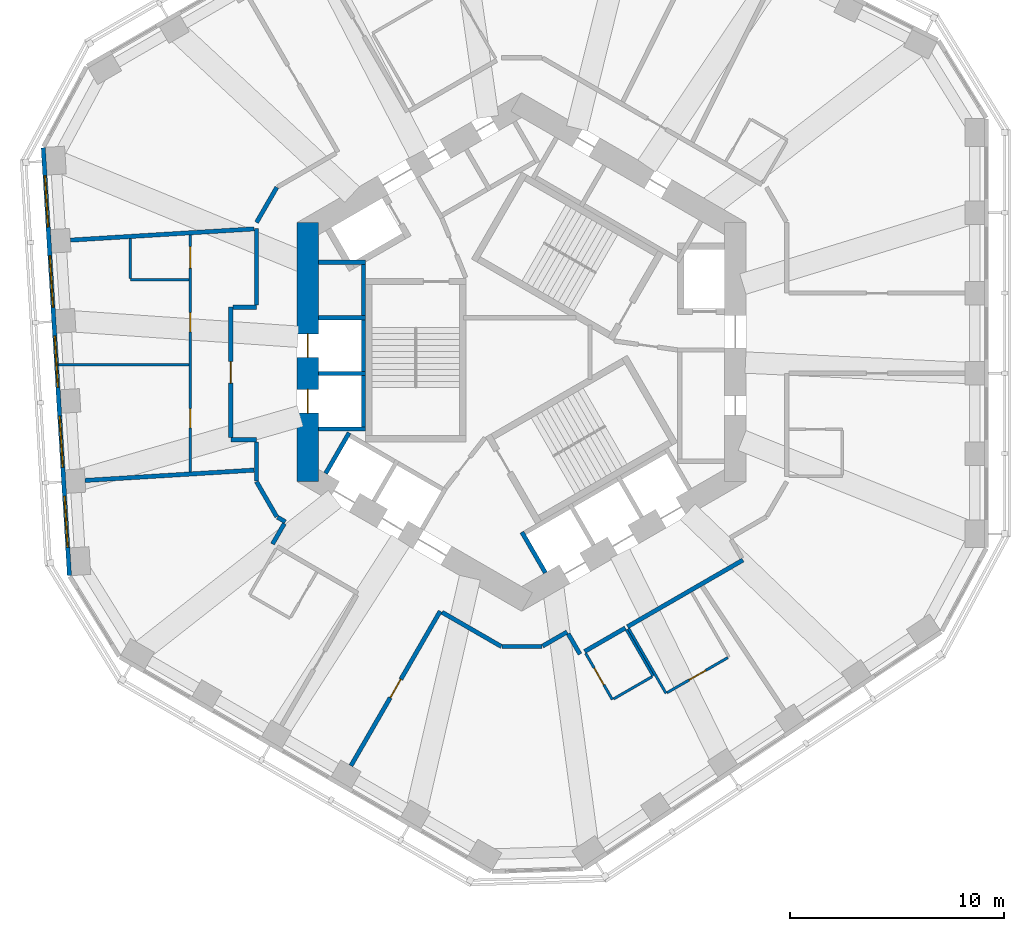
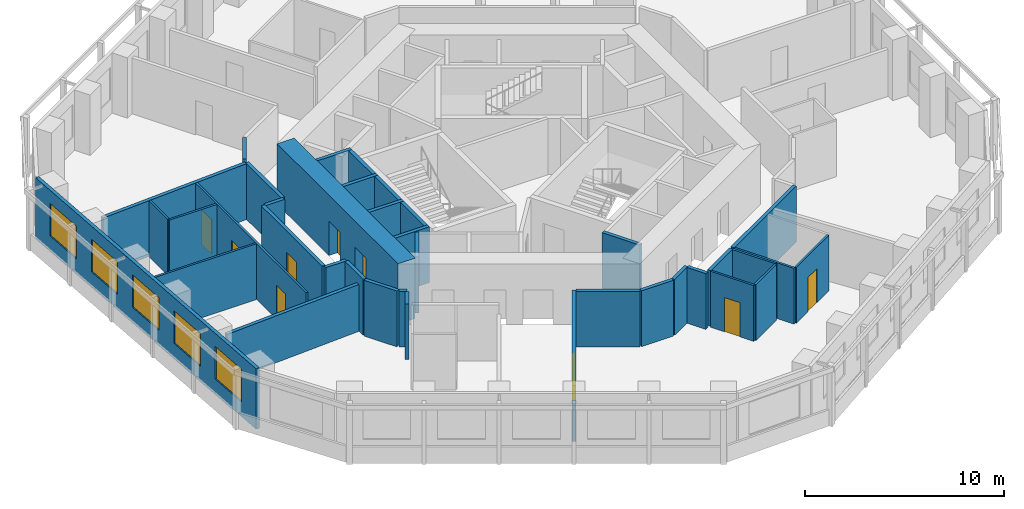
# One storey, part 4 of 11: 36 walls, 9 doors, 5 windows, 14 openings.
"""IFC4 building model written with IfcOpenShell, lengths in metres."""

from ifc_helpers import new_model, si_unit, direction, frame, frame_2d, origin, place, context, subcontext, project, spatial, rectangle, extrude, material, layer, layer_set, type_object, element, fill, save


model = new_model("IFC4")

# Units and contexts
model_context = context("Model", 3, precision=1e-05, world=origin(), true_north=direction((0.0, 1.0)))
body_context = subcontext(model_context, "Body", "Model", "MODEL_VIEW")
ifc_project = project(units=[si_unit("LENGTHUNIT", "METRE"), si_unit("AREAUNIT", "SQUARE_METRE"), si_unit("VOLUMEUNIT", "CUBIC_METRE"), si_unit("PLANEANGLEUNIT", "RADIAN"), si_unit("MASSUNIT", "GRAM", prefix="KILO")], contexts=[model_context])

# Site, building, storey
site_placement = place(None, origin())
site = spatial("IfcSite", under=ifc_project, at=site_placement, CompositionType="ELEMENT")
building_placement = place(site_placement, origin())
building = spatial("IfcBuilding", under=site, at=building_placement, Name="Vanh Sen Convention Tower", CompositionType="ELEMENT")
storey_placement = place(building_placement, frame((0.0, 0.0, 146.60009765625)))
storey = spatial("IfcBuildingStorey", under=building, at=storey_placement, Name="L35", CompositionType="ELEMENT", Elevation=146.60009765625)

# Walls
ifc_material_1 = material(Name="Moisture-resistant gypsum board on steel studs", Category="steel")
ifc_layer_1 = layer(ifc_material_1, 0.1201171875)
ifc_layer_set_1 = layer_set([ifc_layer_1], Name="Moisture-resistant gypsum board on steel studs")
wall_type_1 = type_object("IfcWallType", Name="Bathroom partition 120", PredefinedType="PARTITIONING", material=ifc_layer_set_1)
wall_1_placement = place(storey_placement, frame((-21.65380859375, -0.591796875, 0.0), z_axis=(0.0, 0.0, 1.0), x_axis=(1.0, 0.0, 0.0)))
element("IfcWall", 1, at=wall_1_placement, inside=storey, type_object=wall_type_1, Name="Bathroom partition 120", PredefinedType="PARTITIONING", context=body_context, shape_type="SweptSolid", body=[
    extrude(rectangle(XDim=6.0927734375, YDim=0.1201171875, at=frame_2d((3.04638671875, 0.0))), origin(), (0.0, 0.0, 1.0), 3.419921875),
])
wall_2_placement = place(storey_placement, frame((-18.301025390625, 3.379638671875, 0.0), z_axis=(0.0, 0.0, 1.0), x_axis=(1.0, 0.0, 0.0)))
element("IfcWall", 2, at=wall_2_placement, inside=storey, type_object=wall_type_1, Name="Bathroom partition 120", PredefinedType="PARTITIONING", context=body_context, shape_type="SweptSolid", body=[
    extrude(rectangle(XDim=2.739990234375, YDim=0.1201171875, at=frame_2d((1.3701171875, 0.0))), origin(), (0.0, 0.0, 1.0), 3.419921875),
])
wall_3_placement = place(storey_placement, frame((-18.301025390625, 5.308349609375, 0.0), z_axis=(0.0, 0.0, 1.0), x_axis=(0.0, -1.0, 0.0)))
element("IfcWall", 3, at=wall_3_placement, inside=storey, type_object=wall_type_1, Name="Bathroom partition 120", PredefinedType="PARTITIONING", context=body_context, shape_type="SweptSolid", body=[
    extrude(rectangle(XDim=1.86865234375, YDim=0.1201171875, at=frame_2d((0.934326171875, 0.0))), origin(), (0.0, 0.0, 1.0), 3.419921875),
])

# Wall, openings, doors
wall_4_placement = place(storey_placement, frame((-15.5009765625, 5.4794921875, 0.0), z_axis=(0.0, 0.0, 1.0), x_axis=(0.0, -1.0, 0.0)))
wall_4 = element("IfcWall", 4, at=wall_4_placement, inside=storey, type_object=wall_type_1, Name="Bathroom partition 120", PredefinedType="PARTITIONING", context=body_context, shape_type="SweptSolid", body=[
    extrude(rectangle(XDim=11.08349609375, YDim=0.1201171875, at=frame_2d((5.541748046875, 0.0))), origin(), (0.0, 0.0, 1.0), 3.419921875),
])
opening_1_placement = place(wall_4_placement, frame((0.550048828125, 0.0, 0.0)))
opening_1 = element("IfcOpeningElement", 5, at=opening_1_placement, cuts=wall_4, Name="Opening D35108", PredefinedType="OPENING", context=body_context, shape_type="SweptSolid", body=[
    extrude(rectangle(XDim=1.0, YDim=2.10009765625, at=frame_2d((0.5, 1.050048828125))), frame((0.0, 0.070068359375, 0.0), z_axis=(0.0, -1.0, 0.0), x_axis=(1.0, 0.0, 0.0)), (0.0, 0.0, 1.0), 0.14013671875),
])
opening_2_placement = place(wall_4_placement, frame((3.6357421875, 0.0, 0.0)))
opening_2 = element("IfcOpeningElement", 6, at=opening_2_placement, cuts=wall_4, Name="Opening D35109", PredefinedType="OPENING", context=body_context, shape_type="SweptSolid", body=[
    extrude(rectangle(XDim=0.89990234375, YDim=2.10009765625, at=frame_2d((0.449951171875, 1.050048828125))), frame((0.0, 0.070068359375, 0.0), z_axis=(0.0, -1.0, 0.0), x_axis=(1.0, 0.0, 0.0)), (0.0, 0.0, 1.0), 0.14013671875),
])
opening_3_placement = place(wall_4_placement, frame((8.12744140625, 0.0, 0.0)))
opening_3 = element("IfcOpeningElement", 7, at=opening_3_placement, cuts=wall_4, Name="Opening D35110", PredefinedType="OPENING", context=body_context, shape_type="SweptSolid", body=[
    extrude(rectangle(XDim=0.89990234375, YDim=2.10009765625, at=frame_2d((0.449951171875, 1.050048828125))), frame((0.0, 0.070068359375, 0.0), z_axis=(0.0, -1.0, 0.0), x_axis=(1.0, 0.0, 0.0)), (0.0, 0.0, 1.0), 0.14013671875),
])
ifc_material_2 = material(Name="Laminate door in steel frame", Category="steel")
door_type_1 = type_object("IfcDoorType", Name="Accessible WC door 1000", OperationType="SINGLE_SWING_LEFT", PredefinedType="DOOR", material=ifc_material_2)
door_1_placement = place(opening_1_placement, origin())
door_1 = element("IfcDoor", 8, at=door_1_placement, inside=storey, type_object=door_type_1, Name="Accessible WC door D35108", OperationType="SINGLE_SWING_LEFT", OverallHeight=2.10009765625, OverallWidth=1.0, PredefinedType="DOOR", context=body_context, shape_type="SweptSolid", body=[
    extrude(rectangle(XDim=1.0, YDim=2.10009765625, at=frame_2d((0.5, 1.050048828125))), frame((0.0, 0.02490234375, 0.0), z_axis=(0.0, -1.0, 0.0), x_axis=(1.0, 0.0, 0.0)), (0.0, 0.0, 1.0), 0.050048828125),
])
fill(opening_1, door_1)
door_type_2 = type_object("IfcDoorType", Name="Room internal door 900", OperationType="SINGLE_SWING_LEFT", PredefinedType="DOOR", material=ifc_material_2)
door_2_placement = place(opening_2_placement, origin())
door_2 = element("IfcDoor", 9, at=door_2_placement, inside=storey, type_object=door_type_2, Name="Internal room door D35109", OperationType="SINGLE_SWING_LEFT", OverallHeight=2.10009765625, OverallWidth=0.89990234375, PredefinedType="DOOR", context=body_context, shape_type="SweptSolid", body=[
    extrude(rectangle(XDim=0.89990234375, YDim=2.10009765625, at=frame_2d((0.449951171875, 1.050048828125))), frame((0.0, 0.02490234375, 0.0), z_axis=(0.0, -1.0, 0.0), x_axis=(1.0, 0.0, 0.0)), (0.0, 0.0, 1.0), 0.050048828125),
])
fill(opening_2, door_2)
door_3_placement = place(opening_3_placement, origin())
door_3 = element("IfcDoor", 10, at=door_3_placement, inside=storey, type_object=door_type_2, Name="Internal room door D35110", OperationType="SINGLE_SWING_LEFT", OverallHeight=2.10009765625, OverallWidth=0.89990234375, PredefinedType="DOOR", context=body_context, shape_type="SweptSolid", body=[
    extrude(rectangle(XDim=0.89990234375, YDim=2.10009765625, at=frame_2d((0.449951171875, 1.050048828125))), frame((0.0, 0.02490234375, 0.0), z_axis=(0.0, -1.0, 0.0), x_axis=(1.0, 0.0, 0.0)), (0.0, 0.0, 1.0), 0.050048828125),
])
fill(opening_3, door_3)

# Wall, opening, door
wall_5_placement = place(storey_placement, frame((4.245849609375, -16.256103515625, 0.0), z_axis=(0.0, 0.0, 1.0), x_axis=(-0.499961950354, 0.866047370643, 0.0)))
wall_5 = element("IfcWall", 11, at=wall_5_placement, inside=storey, type_object=wall_type_1, Name="Bathroom partition 120", PredefinedType="PARTITIONING", context=body_context, shape_type="SweptSolid", body=[
    extrude(rectangle(XDim=2.500244140625, YDim=0.1201171875, at=frame_2d((1.25, 0.0))), origin(), (0.0, 0.0, 1.0), 3.419921875),
])
opening_4_placement = place(wall_5_placement, frame((0.800048828125, 0.0, 0.0)))
opening_4 = element("IfcOpeningElement", 12, at=opening_4_placement, cuts=wall_5, Name="Opening D35114", PredefinedType="OPENING", context=body_context, shape_type="SweptSolid", body=[
    extrude(rectangle(XDim=0.89990234375, YDim=2.10009765625, at=frame_2d((0.449951171875, 1.050048828125))), frame((0.0, 0.070068359375, 0.0), z_axis=(0.0, -1.0, 0.0), x_axis=(1.0, 0.0, 0.0)), (0.0, 0.0, 1.0), 0.14013671875),
])
door_4_placement = place(opening_4_placement, origin())
door_4 = element("IfcDoor", 13, at=door_4_placement, inside=storey, type_object=door_type_2, Name="Internal room door D35114", OperationType="SINGLE_SWING_LEFT", OverallHeight=2.10009765625, OverallWidth=0.89990234375, PredefinedType="DOOR", context=body_context, shape_type="SweptSolid", body=[
    extrude(rectangle(XDim=0.89990234375, YDim=2.10009765625, at=frame_2d((0.449951171875, 1.050048828125))), frame((0.0, 0.02490234375, 0.0), z_axis=(0.0, -1.0, 0.0), x_axis=(1.0, 0.0, 0.0)), (0.0, 0.0, 1.0), 0.050048828125),
])
fill(opening_4, door_4)

# Walls
wall_6_placement = place(storey_placement, frame((4.901123046875, -12.990966796875, 0.0), z_axis=(0.0, 0.0, 1.0), x_axis=(0.500004234368, -0.866022959057, 0.0)))
element("IfcWall", 14, at=wall_6_placement, inside=storey, type_object=wall_type_1, Name="Bathroom partition 120", PredefinedType="PARTITIONING", context=body_context, shape_type="SweptSolid", body=[
    extrude(rectangle(XDim=2.5, YDim=0.1201171875, at=frame_2d((1.25, 0.0))), origin(), (0.0, 0.0, 1.0), 3.419921875),
])
wall_7_placement = place(storey_placement, frame((6.09912109375, -15.18603515625, 0.0), z_axis=(0.0, 0.0, 1.0), x_axis=(-0.866009661879, -0.500027264788, 0.0)))
element("IfcWall", 15, at=wall_7_placement, inside=storey, type_object=wall_type_1, Name="Bathroom partition 120", PredefinedType="PARTITIONING", context=body_context, shape_type="SweptSolid", body=[
    extrude(rectangle(XDim=2.080078125, YDim=0.1201171875, at=frame_2d((1.0400390625, 0.0))), origin(), (0.0, 0.0, 1.0), 3.419921875),
])
wall_8_placement = place(storey_placement, frame((6.7548828125, -15.9619140625, 0.0), z_axis=(0.0, 0.0, 1.0), x_axis=(-0.500010275428, 0.866019471182, 0.0)))
element("IfcWall", 16, at=wall_8_placement, inside=storey, type_object=wall_type_1, Name="Bathroom partition 120", PredefinedType="PARTITIONING", context=body_context, shape_type="SweptSolid", body=[
    extrude(rectangle(XDim=3.5, YDim=0.1201171875, at=frame_2d((1.75, 0.0))), origin(), (0.0, 0.0, 1.0), 3.419921875),
])

# Wall, opening, door
wall_9_placement = place(storey_placement, frame((9.6474609375, -14.2919921875, 0.0), z_axis=(0.0, 0.0, 1.0), x_axis=(-0.866040564224, -0.499973740429, 0.0)))
wall_9 = element("IfcWall", 17, at=wall_9_placement, inside=storey, type_object=wall_type_1, Name="Bathroom partition 120", PredefinedType="PARTITIONING", context=body_context, shape_type="SweptSolid", body=[
    extrude(rectangle(XDim=3.280029296875, YDim=0.1201171875, at=frame_2d((1.64013671875, 0.0))), origin(), (0.0, 0.0, 1.0), 3.419921875),
])
opening_5_placement = place(wall_9_placement, frame((1.18994140625, 0.0, 0.0)))
opening_5 = element("IfcOpeningElement", 18, at=opening_5_placement, cuts=wall_9, Name="Opening D35115", PredefinedType="OPENING", context=body_context, shape_type="SweptSolid", body=[
    extrude(rectangle(XDim=0.89990234375, YDim=2.10009765625, at=frame_2d((0.449951171875, 1.050048828125))), frame((0.0, 0.070068359375, 0.0), z_axis=(0.0, -1.0, 0.0), x_axis=(1.0, 0.0, 0.0)), (0.0, 0.0, 1.0), 0.14013671875),
])
door_5_placement = place(opening_5_placement, origin())
door_5 = element("IfcDoor", 19, at=door_5_placement, inside=storey, type_object=door_type_2, Name="Internal room door D35115", OperationType="SINGLE_SWING_LEFT", OverallHeight=2.10009765625, OverallWidth=0.89990234375, PredefinedType="DOOR", context=body_context, shape_type="SweptSolid", body=[
    extrude(rectangle(XDim=0.89990234375, YDim=2.10009765625, at=frame_2d((0.449951171875, 1.050048828125))), frame((0.0, 0.02490234375, 0.0), z_axis=(0.0, -1.0, 0.0), x_axis=(1.0, 0.0, 0.0)), (0.0, 0.0, 1.0), 0.050048828125),
])
fill(opening_5, door_5)

# Wall, openings, doors
ifc_material_3 = material(Name="Concrete C80/95", Category="concrete")
ifc_layer_2 = layer(ifc_material_3, 1.0)
ifc_layer_set_2 = layer_set([ifc_layer_2], Name="Concrete C80/95")
wall_type_2 = type_object("IfcWallType", Name="Core outer wall 1000 C80/95", PredefinedType="SHEAR", material=ifc_layer_set_2)
wall_10_placement = place(storey_placement, frame((-10.0, 6.062255859375, 0.0), z_axis=(0.0, 0.0, 1.0), x_axis=(0.0, -1.0, 0.0)))
wall_10 = element("IfcWall", 20, at=wall_10_placement, inside=storey, type_object=wall_type_2, Name="Core wall face W L35", PredefinedType="SHEAR", context=body_context, shape_type="SweptSolid", body=[
    extrude(rectangle(XDim=12.12451171875, YDim=1.0, at=frame_2d((6.062255859375, 0.0))), origin(), (0.0, 0.0, 1.0), 3.699951171875),
])
opening_6_placement = place(wall_10_placement, frame((5.212158203125, 0.0, 0.0)))
opening_6 = element("IfcOpeningElement", 21, at=opening_6_placement, cuts=wall_10, Name="Opening LD-HR1", PredefinedType="OPENING", context=body_context, shape_type="SweptSolid", body=[
    extrude(rectangle(XDim=1.10009765625, YDim=2.10009765625, at=frame_2d((0.550048828125, 1.050048828125))), frame((0.0, 0.510009765625, 0.0), z_axis=(0.0, -1.0, 0.0), x_axis=(1.0, 0.0, 0.0)), (0.0, 0.0, 1.0), 1.02001953125),
])
opening_7_placement = place(wall_10_placement, frame((7.812255859375, 0.0, 0.0)))
opening_7 = element("IfcOpeningElement", 22, at=opening_7_placement, cuts=wall_10, Name="Opening LD-HR2", PredefinedType="OPENING", context=body_context, shape_type="SweptSolid", body=[
    extrude(rectangle(XDim=1.10009765625, YDim=2.10009765625, at=frame_2d((0.550048828125, 1.050048828125))), frame((0.0, 0.510009765625, 0.0), z_axis=(0.0, -1.0, 0.0), x_axis=(1.0, 0.0, 0.0)), (0.0, 0.0, 1.0), 1.02001953125),
])
ifc_material_4 = material(Name="Stainless steel", Category="steel")
door_type_3 = type_object("IfcDoorType", Name="Lift landing door 1100", OperationType="DOUBLE_DOOR_SLIDING", PredefinedType="DOOR", material=ifc_material_4)
door_6_placement = place(opening_6_placement, origin())
door_6 = element("IfcDoor", 23, at=door_6_placement, inside=storey, type_object=door_type_3, Name="Lift HR1 landing door LD-HR1", OperationType="DOUBLE_DOOR_SLIDING", OverallHeight=2.10009765625, OverallWidth=1.10009765625, PredefinedType="DOOR", context=body_context, shape_type="SweptSolid", body=[
    extrude(rectangle(XDim=1.10009765625, YDim=2.10009765625, at=frame_2d((0.550048828125, 1.050048828125))), frame((0.0, 0.02490234375, 0.0), z_axis=(0.0, -1.0, 0.0), x_axis=(1.0, 0.0, 0.0)), (0.0, 0.0, 1.0), 0.050048828125),
])
fill(opening_6, door_6)
door_7_placement = place(opening_7_placement, origin())
door_7 = element("IfcDoor", 24, at=door_7_placement, inside=storey, type_object=door_type_3, Name="Lift HR2 landing door LD-HR2", OperationType="DOUBLE_DOOR_SLIDING", OverallHeight=2.10009765625, OverallWidth=1.10009765625, PredefinedType="DOOR", context=body_context, shape_type="SweptSolid", body=[
    extrude(rectangle(XDim=1.10009765625, YDim=2.10009765625, at=frame_2d((0.550048828125, 1.050048828125))), frame((0.0, 0.02490234375, 0.0), z_axis=(0.0, -1.0, 0.0), x_axis=(1.0, 0.0, 0.0)), (0.0, 0.0, 1.0), 0.050048828125),
])
fill(opening_7, door_7)

# Wall
ifc_material_5 = material(Name="Gypsum board on steel studs with mineral wool", Category="steel")
ifc_layer_3 = layer(ifc_material_5, 0.199951171875)
ifc_layer_set_3 = layer_set([ifc_layer_3], Name="Gypsum board on steel studs with mineral wool")
wall_type_3 = type_object("IfcWallType", Name="Corridor partition wall 200", PredefinedType="PARTITIONING", material=ifc_layer_set_3)
wall_11_placement = place(storey_placement, frame((-13.60107421875, -4.10107421875, 0.0), z_axis=(0.0, 0.0, 1.0), x_axis=(1.0, 0.0, 0.0)))
element("IfcWall", 25, at=wall_11_placement, inside=storey, type_object=wall_type_3, Name="Corridor partition wall 200", PredefinedType="PARTITIONING", context=body_context, shape_type="SweptSolid", body=[
    extrude(rectangle(XDim=1.201171875, YDim=0.199951171875, at=frame_2d((0.6005859375, 0.0))), origin(), (0.0, 0.0, 1.0), 3.419921875),
])

# Wall, opening, door
wall_12_placement = place(storey_placement, frame((-13.60107421875, 2.10107421875, 0.0), z_axis=(0.0, 0.0, 1.0), x_axis=(0.0, -1.0, 0.0)))
wall_12 = element("IfcWall", 26, at=wall_12_placement, inside=storey, type_object=wall_type_3, Name="Corridor partition wall 200", PredefinedType="PARTITIONING", context=body_context, shape_type="SweptSolid", body=[
    extrude(rectangle(XDim=6.10205078125, YDim=0.199951171875, at=frame_2d((3.051025390625, 0.0))), origin(), (0.0, 0.0, 1.0), 3.419921875),
])
opening_8_placement = place(wall_12_placement, frame((2.551025390625, 0.0, 0.0)))
opening_8 = element("IfcOpeningElement", 27, at=opening_8_placement, cuts=wall_12, Name="Opening D35107", PredefinedType="OPENING", context=body_context, shape_type="SweptSolid", body=[
    extrude(rectangle(XDim=1.0, YDim=2.10009765625, at=frame_2d((0.5, 1.050048828125))), frame((0.0, 0.10986328125, 0.0), z_axis=(0.0, -1.0, 0.0), x_axis=(1.0, 0.0, 0.0)), (0.0, 0.0, 1.0), 0.219970703125),
])
ifc_material_6 = material(Name="Timber fire door in steel frame", Category="steel")
door_type_4 = type_object("IfcDoorType", Name="Floor room door 1000", OperationType="SINGLE_SWING_LEFT", PredefinedType="DOOR", material=ifc_material_6)
door_8_placement = place(opening_8_placement, origin())
door_8 = element("IfcDoor", 28, at=door_8_placement, inside=storey, type_object=door_type_4, Name="Meeting and amenity room door D35107", OperationType="SINGLE_SWING_LEFT", OverallHeight=2.10009765625, OverallWidth=1.0, PredefinedType="DOOR", context=body_context, shape_type="SweptSolid", body=[
    extrude(rectangle(XDim=1.0, YDim=2.10009765625, at=frame_2d((0.5, 1.050048828125))), frame((0.0, 0.02490234375, 0.0), z_axis=(0.0, -1.0, 0.0), x_axis=(1.0, 0.0, 0.0)), (0.0, 0.0, 1.0), 0.050048828125),
])
fill(opening_8, door_8)

# Walls
wall_13_placement = place(storey_placement, frame((-12.39990234375, -6.062255859375, 0.0), z_axis=(0.0, 0.0, 1.0), x_axis=(0.500022797313, -0.86601224135, 0.0)))
element("IfcWall", 29, at=wall_13_placement, inside=storey, type_object=wall_type_3, Name="Corridor partition wall 200", PredefinedType="PARTITIONING", context=body_context, shape_type="SweptSolid", body=[
    extrude(rectangle(XDim=1.89990234375, YDim=0.199951171875, at=frame_2d((0.949951171875, 0.0))), origin(), (0.0, 0.0, 1.0), 3.419921875),
])
wall_14_placement = place(storey_placement, frame((-12.39990234375, -4.200927734375, 0.0), z_axis=(0.0, 0.0, 1.0), x_axis=(0.0, -1.0, 0.0)))
element("IfcWall", 30, at=wall_14_placement, inside=storey, type_object=wall_type_3, Name="Corridor partition wall 200", PredefinedType="PARTITIONING", context=body_context, shape_type="SweptSolid", body=[
    extrude(rectangle(XDim=1.8212890625, YDim=0.199951171875, at=frame_2d((0.91064453125, 0.0))), origin(), (0.0, 0.0, 1.0), 3.419921875),
])
wall_15_placement = place(storey_placement, frame((-12.39990234375, 2.10107421875, 0.0), z_axis=(0.0, 0.0, 1.0), x_axis=(-1.0, 0.0, 0.0)))
element("IfcWall", 31, at=wall_15_placement, inside=storey, type_object=wall_type_3, Name="Corridor partition wall 200", PredefinedType="PARTITIONING", context=body_context, shape_type="SweptSolid", body=[
    extrude(rectangle(XDim=1.10107421875, YDim=0.199951171875, at=frame_2d((0.550537109375, 0.0))), origin(), (0.0, 0.0, 1.0), 3.419921875),
])
wall_16_placement = place(storey_placement, frame((-12.39990234375, 5.769287109375, 0.0), z_axis=(0.0, 0.0, 1.0), x_axis=(0.0, -1.0, 0.0)))
element("IfcWall", 32, at=wall_16_placement, inside=storey, type_object=wall_type_3, Name="Corridor partition wall 200", PredefinedType="PARTITIONING", context=body_context, shape_type="SweptSolid", body=[
    extrude(rectangle(XDim=3.568359375, YDim=0.199951171875, at=frame_2d((1.7841796875, 0.0))), origin(), (0.0, 0.0, 1.0), 3.419921875),
])
wall_17_placement = place(storey_placement, frame((-11.449951171875, 7.70751953125, 0.0), z_axis=(0.0, 0.0, 1.0), x_axis=(-0.500022797313, -0.86601224135, 0.0)))
element("IfcWall", 33, at=wall_17_placement, inside=storey, type_object=wall_type_3, Name="Corridor partition wall 200", PredefinedType="PARTITIONING", context=body_context, shape_type="SweptSolid", body=[
    extrude(rectangle(XDim=1.89990234375, YDim=0.199951171875, at=frame_2d((0.949951171875, 0.0))), origin(), (0.0, 0.0, 1.0), 3.419921875),
])
wall_18_placement = place(storey_placement, frame((-11.415283203125, -7.7275390625, 0.0), z_axis=(0.0, 0.0, 1.0), x_axis=(0.865915281873, -0.500190688257, 0.0)))
element("IfcWall", 34, at=wall_18_placement, inside=storey, type_object=wall_type_3, Name="Corridor partition wall 200", PredefinedType="PARTITIONING", context=body_context, shape_type="SweptSolid", body=[
    extrude(rectangle(XDim=0.421142578125, YDim=0.199951171875, at=frame_2d((0.21044921875, 0.0))), origin(), (0.0, 0.0, 1.0), 3.419921875),
])
wall_19_placement = place(storey_placement, frame((-11.1005859375, -8.02490234375, 0.0), z_axis=(0.0, 0.0, 1.0), x_axis=(-0.500074377092, -0.865982457891, 0.0)))
element("IfcWall", 35, at=wall_19_placement, inside=storey, type_object=wall_type_3, Name="Corridor partition wall 200", PredefinedType="PARTITIONING", context=body_context, shape_type="SweptSolid", body=[
    extrude(rectangle(XDim=1.100830078125, YDim=0.199951171875, at=frame_2d((0.55029296875, 0.0))), origin(), (0.0, 0.0, 1.0), 3.419921875),
])

# Wall, opening, door
wall_20_placement = place(storey_placement, frame((-7.983642578125, -19.3505859375, 0.0), z_axis=(0.0, 0.0, 1.0), x_axis=(0.500010139422, 0.866019549707, 0.0)))
wall_20 = element("IfcWall", 36, at=wall_20_placement, inside=storey, type_object=wall_type_3, Name="Corridor partition wall 200", PredefinedType="PARTITIONING", context=body_context, shape_type="SweptSolid", body=[
    extrude(rectangle(XDim=8.349853515625, YDim=0.199951171875, at=frame_2d((4.1748046875, 0.0))), origin(), (0.0, 0.0, 1.0), 3.419921875),
])
opening_9_placement = place(wall_20_placement, frame((3.675048828125, 0.0, 0.0)))
opening_9 = element("IfcOpeningElement", 37, at=opening_9_placement, cuts=wall_20, Name="Opening D35113", PredefinedType="OPENING", context=body_context, shape_type="SweptSolid", body=[
    extrude(rectangle(XDim=1.0, YDim=2.10009765625, at=frame_2d((0.5, 1.050048828125))), frame((0.0, 0.10986328125, 0.0), z_axis=(0.0, -1.0, 0.0), x_axis=(1.0, 0.0, 0.0)), (0.0, 0.0, 1.0), 0.219970703125),
])
ifc_material_7 = material(Name="Glazed fire door in steel frame", Category="steel")
door_type_5 = type_object("IfcDoorType", Name="Tenant entrance door 1000", OperationType="SINGLE_SWING_LEFT", PredefinedType="DOOR", material=ifc_material_7)
door_9_placement = place(opening_9_placement, origin())
door_9 = element("IfcDoor", 38, at=door_9_placement, inside=storey, type_object=door_type_5, Name="Tenant suite entrance door D35113", OperationType="SINGLE_SWING_LEFT", OverallHeight=2.10009765625, OverallWidth=1.0, PredefinedType="DOOR", context=body_context, shape_type="SweptSolid", body=[
    extrude(rectangle(XDim=1.0, YDim=2.10009765625, at=frame_2d((0.5, 1.050048828125))), frame((0.0, 0.02490234375, 0.0), z_axis=(0.0, -1.0, 0.0), x_axis=(1.0, 0.0, 0.0)), (0.0, 0.0, 1.0), 0.050048828125),
])
fill(opening_9, door_9)

# Walls
wall_21_placement = place(storey_placement, frame((-3.721923828125, -12.16943359375, 0.0), z_axis=(0.0, 0.0, 1.0), x_axis=(0.866033163891, -0.499986558861, 0.0)))
element("IfcWall", 39, at=wall_21_placement, inside=storey, type_object=wall_type_3, Name="Corridor partition wall 200", PredefinedType="PARTITIONING", context=body_context, shape_type="SweptSolid", body=[
    extrude(rectangle(XDim=3.20068359375, YDim=0.199951171875, at=frame_2d((1.600341796875, 0.0))), origin(), (0.0, 0.0, 1.0), 3.419921875),
])
wall_22_placement = place(storey_placement, frame((-0.909912109375, -13.769775390625, 0.0), z_axis=(0.0, 0.0, 1.0), x_axis=(1.0, 0.0, 0.0)))
element("IfcWall", 40, at=wall_22_placement, inside=storey, type_object=wall_type_3, Name="Corridor partition wall 200", PredefinedType="PARTITIONING", context=body_context, shape_type="SweptSolid", body=[
    extrude(rectangle(XDim=1.85986328125, YDim=0.199951171875, at=frame_2d((0.929931640625, 0.0))), origin(), (0.0, 0.0, 1.0), 3.419921875),
])
wall_23_placement = place(storey_placement, frame((0.984619140625, -13.749755859375, 0.0), z_axis=(0.0, 0.0, 1.0), x_axis=(0.866028661061, 0.499994358189, 0.0)))
element("IfcWall", 41, at=wall_23_placement, inside=storey, type_object=wall_type_3, Name="Corridor partition wall 200", PredefinedType="PARTITIONING", context=body_context, shape_type="SweptSolid", body=[
    extrude(rectangle(XDim=1.3212890625, YDim=0.199951171875, at=frame_2d((0.66064453125, 0.0))), origin(), (0.0, 0.0, 1.0), 3.419921875),
])
wall_24_placement = place(storey_placement, frame((2.1787109375, -13.17578125, 0.0), z_axis=(0.0, 0.0, 1.0), x_axis=(0.499978356969, -0.866037899034, 0.0)))
element("IfcWall", 42, at=wall_24_placement, inside=storey, type_object=wall_type_3, Name="Corridor partition wall 200", PredefinedType="PARTITIONING", context=body_context, shape_type="SweptSolid", body=[
    extrude(rectangle(XDim=1.10107421875, YDim=0.199951171875, at=frame_2d((0.550537109375, 0.0))), origin(), (0.0, 0.0, 1.0), 3.419921875),
])
wall_25_placement = place(storey_placement, frame((2.94580078125, -14.00439453125, 0.0), z_axis=(0.0, 0.0, 1.0), x_axis=(0.866008176907, 0.50002983664, 0.0)))
element("IfcWall", 43, at=wall_25_placement, inside=storey, type_object=wall_type_3, Name="Corridor partition wall 200", PredefinedType="PARTITIONING", context=body_context, shape_type="SweptSolid", body=[
    extrude(rectangle(XDim=2.199951171875, YDim=0.199951171875, at=frame_2d((1.10009765625, 0.0))), origin(), (0.0, 0.0, 1.0), 3.419921875),
])
wall_26_placement = place(storey_placement, frame((4.955078125, -12.84423828125, 0.0), z_axis=(0.0, 0.0, 1.0), x_axis=(0.86602379309, 0.500002789795, 0.0)))
element("IfcWall", 44, at=wall_26_placement, inside=storey, type_object=wall_type_3, Name="Corridor partition wall 200", PredefinedType="PARTITIONING", context=body_context, shape_type="SweptSolid", body=[
    extrude(rectangle(XDim=6.23193359375, YDim=0.199951171875, at=frame_2d((3.115966796875, 0.0))), origin(), (0.0, 0.0, 1.0), 3.419921875),
])

# Wall, openings, windows
ifc_material_8 = material(Name="Insulated lightweight infill wall")
ifc_layer_4 = layer(ifc_material_8, 0.199951171875)
ifc_layer_set_4 = layer_set([ifc_layer_4], Name="Insulated lightweight infill wall")
wall_type_4 = type_object("IfcWallType", Name="External wall 200", PredefinedType="STANDARD", material=ifc_layer_set_4)
wall_27_placement = place(storey_placement, frame((-22.375, 9.55712890625, 0.0), z_axis=(0.0, 0.0, 1.0), x_axis=(0.061036015339, -0.998135564356, 0.0)))
wall_27 = element("IfcWall", 45, at=wall_27_placement, inside=storey, type_object=wall_type_4, Name="External wall W L35", PredefinedType="STANDARD", context=body_context, shape_type="SweptSolid", body=[
    extrude(rectangle(XDim=20.043701171875, YDim=0.199951171875, at=frame_2d((10.02197265625, 0.0))), origin(), (0.0, 0.0, 1.0), 3.699951171875),
])
opening_10_placement = place(wall_27_placement, frame((1.312744140625, 0.0, 0.89990234375)))
opening_10 = element("IfcOpeningElement", 46, at=opening_10_placement, cuts=wall_27, Name="Opening WO1-W1", PredefinedType="OPENING", context=body_context, shape_type="SweptSolid", body=[
    extrude(rectangle(XDim=2.39990234375, YDim=2.0, at=frame_2d((1.199951171875, 1.0))), frame((0.0, 0.10986328125, 0.0), z_axis=(0.0, -1.0, 0.0), x_axis=(1.0, 0.0, 0.0)), (0.0, 0.0, 1.0), 0.219970703125),
])
opening_11_placement = place(wall_27_placement, frame((5.06689453125, 0.0, 0.89990234375)))
opening_11 = element("IfcOpeningElement", 47, at=opening_11_placement, cuts=wall_27, Name="Opening WO1-W2", PredefinedType="OPENING", context=body_context, shape_type="SweptSolid", body=[
    extrude(rectangle(XDim=2.39990234375, YDim=2.0, at=frame_2d((1.199951171875, 1.0))), frame((0.0, 0.10986328125, 0.0), z_axis=(0.0, -1.0, 0.0), x_axis=(1.0, 0.0, 0.0)), (0.0, 0.0, 1.0), 0.219970703125),
])
opening_12_placement = place(wall_27_placement, frame((8.821044921875, 0.0, 0.89990234375)))
opening_12 = element("IfcOpeningElement", 48, at=opening_12_placement, cuts=wall_27, Name="Opening WO1-W3", PredefinedType="OPENING", context=body_context, shape_type="SweptSolid", body=[
    extrude(rectangle(XDim=2.39990234375, YDim=2.0, at=frame_2d((1.199951171875, 1.0))), frame((0.0, 0.10986328125, 0.0), z_axis=(0.0, -1.0, 0.0), x_axis=(1.0, 0.0, 0.0)), (0.0, 0.0, 1.0), 0.219970703125),
])
opening_13_placement = place(wall_27_placement, frame((12.5751953125, 0.0, 0.89990234375)))
opening_13 = element("IfcOpeningElement", 49, at=opening_13_placement, cuts=wall_27, Name="Opening WO1-W4", PredefinedType="OPENING", context=body_context, shape_type="SweptSolid", body=[
    extrude(rectangle(XDim=2.39990234375, YDim=2.0, at=frame_2d((1.199951171875, 1.0))), frame((0.0, 0.10986328125, 0.0), z_axis=(0.0, -1.0, 0.0), x_axis=(1.0, 0.0, 0.0)), (0.0, 0.0, 1.0), 0.219970703125),
])
opening_14_placement = place(wall_27_placement, frame((16.329345703125, 0.0, 0.89990234375)))
opening_14 = element("IfcOpeningElement", 50, at=opening_14_placement, cuts=wall_27, Name="Opening WO1-W5", PredefinedType="OPENING", context=body_context, shape_type="SweptSolid", body=[
    extrude(rectangle(XDim=2.39990234375, YDim=2.0, at=frame_2d((1.199951171875, 1.0))), frame((0.0, 0.10986328125, 0.0), z_axis=(0.0, -1.0, 0.0), x_axis=(1.0, 0.0, 0.0)), (0.0, 0.0, 1.0), 0.219970703125),
])
ifc_material_9 = material(Name="Aluminium frame with clear low-emissivity glass", Category="aluminium")
window_type = type_object("IfcWindowType", Name="Office window 2400 x 2000", PartitioningType="SINGLE_PANEL", PredefinedType="WINDOW", material=ifc_material_9)
window_1_placement = place(opening_10_placement, origin())
window_1 = element("IfcWindow", 51, at=window_1_placement, inside=storey, type_object=window_type, Name="Window WO1-W1", OverallHeight=2.0, OverallWidth=2.39990234375, PartitioningType="SINGLE_PANEL", PredefinedType="WINDOW", context=body_context, shape_type="SweptSolid", body=[
    extrude(rectangle(XDim=2.39990234375, YDim=2.0, at=frame_2d((1.199951171875, 1.0))), frame((0.0, 0.030029296875, 0.0), z_axis=(0.0, -1.0, 0.0), x_axis=(1.0, 0.0, 0.0)), (0.0, 0.0, 1.0), 0.06005859375),
])
fill(opening_10, window_1)
window_2_placement = place(opening_11_placement, origin())
window_2 = element("IfcWindow", 52, at=window_2_placement, inside=storey, type_object=window_type, Name="Window WO1-W2", OverallHeight=2.0, OverallWidth=2.39990234375, PartitioningType="SINGLE_PANEL", PredefinedType="WINDOW", context=body_context, shape_type="SweptSolid", body=[
    extrude(rectangle(XDim=2.39990234375, YDim=2.0, at=frame_2d((1.199951171875, 1.0))), frame((0.0, 0.030029296875, 0.0), z_axis=(0.0, -1.0, 0.0), x_axis=(1.0, 0.0, 0.0)), (0.0, 0.0, 1.0), 0.06005859375),
])
fill(opening_11, window_2)
window_3_placement = place(opening_12_placement, origin())
window_3 = element("IfcWindow", 53, at=window_3_placement, inside=storey, type_object=window_type, Name="Window WO1-W3", OverallHeight=2.0, OverallWidth=2.39990234375, PartitioningType="SINGLE_PANEL", PredefinedType="WINDOW", context=body_context, shape_type="SweptSolid", body=[
    extrude(rectangle(XDim=2.39990234375, YDim=2.0, at=frame_2d((1.199951171875, 1.0))), frame((0.0, 0.030029296875, 0.0), z_axis=(0.0, -1.0, 0.0), x_axis=(1.0, 0.0, 0.0)), (0.0, 0.0, 1.0), 0.06005859375),
])
fill(opening_12, window_3)
window_4_placement = place(opening_13_placement, origin())
window_4 = element("IfcWindow", 54, at=window_4_placement, inside=storey, type_object=window_type, Name="Window WO1-W4", OverallHeight=2.0, OverallWidth=2.39990234375, PartitioningType="SINGLE_PANEL", PredefinedType="WINDOW", context=body_context, shape_type="SweptSolid", body=[
    extrude(rectangle(XDim=2.39990234375, YDim=2.0, at=frame_2d((1.199951171875, 1.0))), frame((0.0, 0.030029296875, 0.0), z_axis=(0.0, -1.0, 0.0), x_axis=(1.0, 0.0, 0.0)), (0.0, 0.0, 1.0), 0.06005859375),
])
fill(opening_13, window_4)
window_5_placement = place(opening_14_placement, origin())
window_5 = element("IfcWindow", 55, at=window_5_placement, inside=storey, type_object=window_type, Name="Window WO1-W5", OverallHeight=2.0, OverallWidth=2.39990234375, PartitioningType="SINGLE_PANEL", PredefinedType="WINDOW", context=body_context, shape_type="SweptSolid", body=[
    extrude(rectangle(XDim=2.39990234375, YDim=2.0, at=frame_2d((1.199951171875, 1.0))), frame((0.0, 0.030029296875, 0.0), z_axis=(0.0, -1.0, 0.0), x_axis=(1.0, 0.0, 0.0)), (0.0, 0.0, 1.0), 0.06005859375),
])
fill(opening_14, window_5)

# Walls
ifc_material_10 = material(Name="Concrete C40/50", Category="concrete")
ifc_layer_5 = layer(ifc_material_10, 0.199951171875)
ifc_layer_set_5 = layer_set([ifc_layer_5], Name="Concrete C40/50")
wall_type_5 = type_object("IfcWallType", Name="Lift shaft wall 200", PredefinedType="PARTITIONING", material=ifc_layer_set_5)
wall_28_placement = place(storey_placement, frame((-7.39990234375, 4.300048828125, 0.0), z_axis=(0.0, 0.0, 1.0), x_axis=(0.0, -1.0, 0.0)))
element("IfcWall", 56, at=wall_28_placement, inside=storey, type_object=wall_type_5, Name="Lift shaft wall L35", PredefinedType="PARTITIONING", context=body_context, shape_type="SweptSolid", body=[
    extrude(rectangle(XDim=8.0, YDim=0.199951171875, at=frame_2d((4.0, 0.0))), origin(), (0.0, 0.0, 1.0), 3.419921875),
])
for number, where, z_axis, x_axis, name in (
    (57, (-7.300048828125, 4.199951171875, 0.0), (0.0, 0.0, 1.0), (-1.0, 0.0, 0.0), "Lift shaft wall L35"),
    (58, (-7.300048828125, 1.60009765625, 0.0), (0.0, 0.0, 1.0), (-1.0, 0.0, 0.0), "Lift shaft wall L35"),
    (59, (-7.300048828125, -1.0, 0.0), (0.0, 0.0, 1.0), (-1.0, 0.0, 0.0), "Lift shaft wall L35"),
    (60, (-7.300048828125, -3.60009765625, 0.0), (0.0, 0.0, 1.0), (-1.0, 0.0, 0.0), "Lift shaft wall L35"),
    (61, (-8.066650390625, -3.77197265625, 0.0), (0.0, 0.0, 1.0), (-0.50002983664, -0.866008176907, 0.0), "Lift shaft wall L35"),
    (62, (0.0126953125, -8.422119140625, 0.0), (0.0, 0.0, 1.0), (0.500077893725, -0.86598042715, 0.0), "Lift shaft wall L35"),
):
    element("IfcWall", number, at=place(storey_placement, frame(where, z_axis=z_axis, x_axis=x_axis)), inside=storey, type_object=wall_type_5, Name=name, PredefinedType="PARTITIONING", context=body_context, shape_type="SweptSolid", body=[
        extrude(rectangle(XDim=2.199951171875, YDim=0.199951171875, at=frame_2d((1.10009765625, 0.0))), origin(), (0.0, 0.0, 1.0), 3.419921875),
    ])
ifc_layer_6 = layer(ifc_material_5, 0.199951171875)
ifc_layer_set_6 = layer_set([ifc_layer_6], Name="Gypsum board on steel studs with mineral wool")
wall_type_6 = type_object("IfcWallType", Name="Tenant suite wall 200", PredefinedType="PARTITIONING", material=ifc_layer_set_6)
wall_29_placement = place(storey_placement, frame((-21.10888671875, 5.236572265625, 0.0), z_axis=(0.0, 0.0, 1.0), x_axis=(0.998135264293, 0.061040922131, 0.0)))
element("IfcWall", 63, at=wall_29_placement, inside=storey, type_object=wall_type_6, Name="Tenant suite wall 200", PredefinedType="PARTITIONING", context=body_context, shape_type="SweptSolid", body=[
    extrude(rectangle(XDim=8.615234375, YDim=0.199951171875, at=frame_2d((4.3076171875, 0.0))), origin(), (0.0, 0.0, 1.0), 3.419921875),
])
wall_30_placement = place(storey_placement, frame((-20.42138671875, -6.0048828125, 0.0), z_axis=(0.0, 0.0, 1.0), x_axis=(0.998134865741, 0.061047438866, 0.0)))
element("IfcWall", 64, at=wall_30_placement, inside=storey, type_object=wall_type_6, Name="Tenant suite wall 200", PredefinedType="PARTITIONING", context=body_context, shape_type="SweptSolid", body=[
    extrude(rectangle(XDim=7.926513671875, YDim=0.199951171875, at=frame_2d((3.96337890625, 0.0))), origin(), (0.0, 0.0, 1.0), 2.869873046875),
])

save(model, "model.ifc")
